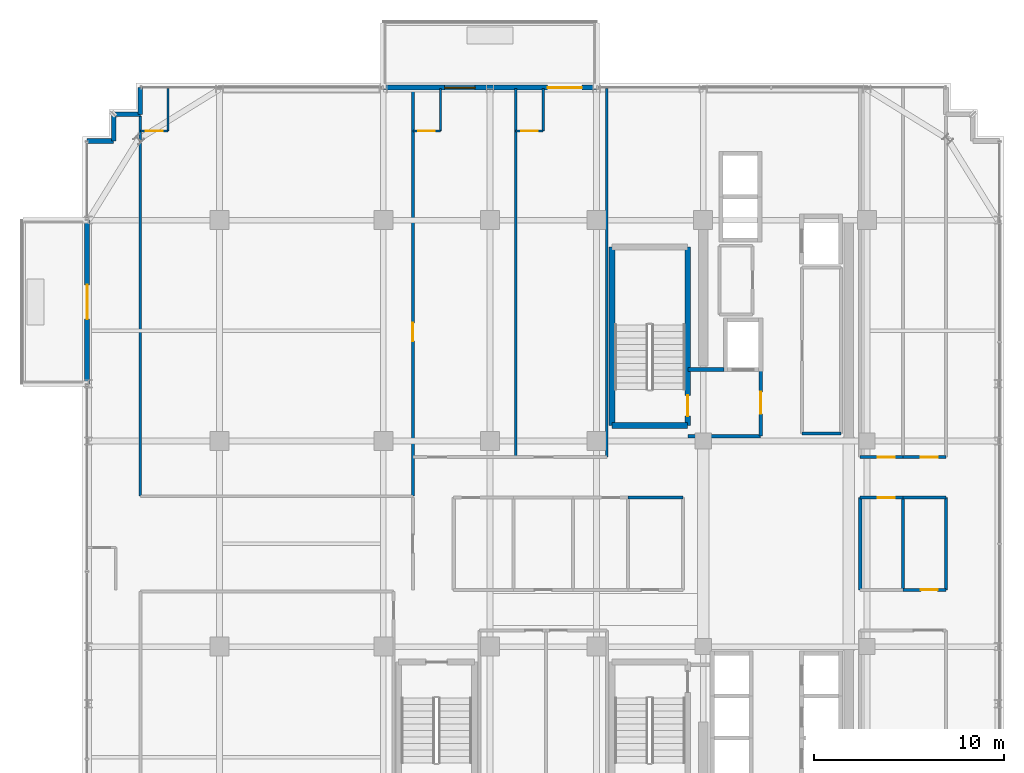
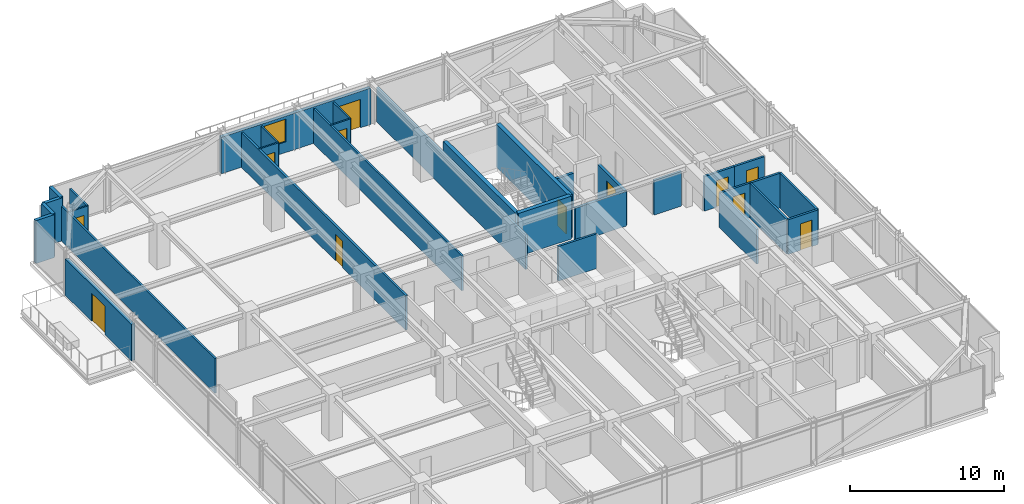
# One storey, part 36 of 41: 32 walls, 12 doors, 1 window, 13 openings.
"""IFC4 building model written with IfcOpenShell, lengths in metres."""

from ifc_helpers import new_model, si_unit, direction, frame, frame_2d, origin, place, context, subcontext, project, spatial, rectangle, extrude, source, transform, mapped, material, layer, layer_set, type_object, element, fill, save


model = new_model("IFC4")

# Units and contexts
model_context = context("Model", 3, precision=1e-05, world=origin(), true_north=direction((0.0, 1.0)))
body_context = subcontext(model_context, "Body", "Model", "MODEL_VIEW")
ifc_project = project(units=[si_unit("LENGTHUNIT", "METRE"), si_unit("AREAUNIT", "SQUARE_METRE"), si_unit("VOLUMEUNIT", "CUBIC_METRE"), si_unit("PLANEANGLEUNIT", "RADIAN"), si_unit("MASSUNIT", "GRAM", prefix="KILO")], contexts=[model_context])

# Site, building, storey
site_placement = place(None, origin())
site = spatial("IfcSite", under=ifc_project, at=site_placement, CompositionType="ELEMENT")
building_placement = place(site_placement, origin())
building = spatial("IfcBuilding", under=site, at=building_placement, Name="Nahalor Promenade Grand Hotel", CompositionType="ELEMENT")
storey_placement = place(building_placement, frame((0.0, 0.0, 227.10009765625)))
storey = spatial("IfcBuildingStorey", under=building, at=storey_placement, Name="L58", CompositionType="ELEMENT", Elevation=227.10009765625)

# Walls
ifc_material_1 = material(Name="Concrete B-50 (C40/50)", Category="concrete")
ifc_layer_1 = layer(ifc_material_1, 0.300048828125)
ifc_layer_set_1 = layer_set([ifc_layer_1], Name="Concrete B-50 (C40/50)")
wall_type_1 = type_object("IfcWallType", Name="Wall-ShaftShear-300", PredefinedType="SHEAR", material=ifc_layer_set_1)
shared_shape_1 = source(origin(), body_context, "Body", "SweptSolid", [
    extrude(rectangle(XDim=3.97998046875, YDim=0.300048828125, at=frame_2d((1.989990234375, 0.0))), origin(), (0.0, 0.0, 1.0), 3.409912109375),
])
wall_1_placement = place(storey_placement, frame((3.610107421875, 6.2099609375, 0.0), z_axis=(0.0, 0.0, 1.0), x_axis=(1.0, 0.0, 0.0)))
element("IfcWall", 1, at=wall_1_placement, inside=storey, type_object=wall_type_1, Name="L58 Exit Stair ST1 Shaft Wall S", PredefinedType="SHEAR", context=body_context, shape_type="MappedRepresentation", body=[
    mapped(shared_shape_1, transform((0.0, 0.0, 0.0), scale=1.0)),
])
shared_shape_2 = source(origin(), body_context, "Body", "SweptSolid", [
    extrude(rectangle(XDim=9.380126953125, YDim=0.300048828125, at=frame_2d((4.68994140625, 0.0))), origin(), (0.0, 0.0, 1.0), 3.409912109375),
])
wall_2_placement = place(storey_placement, frame((3.610107421875, 6.2099609375, 0.0), z_axis=(0.0, 0.0, 1.0), x_axis=(0.0, 1.0, 0.0)))
element("IfcWall", 2, at=wall_2_placement, inside=storey, type_object=wall_type_1, Name="L58 Exit Stair ST1 Shaft Wall W", PredefinedType="SHEAR", context=body_context, shape_type="MappedRepresentation", body=[
    mapped(shared_shape_2, transform((0.0, 0.0, 0.0), scale=1.0)),
])

# Wall, opening, door
wall_3_placement = place(storey_placement, frame((7.590087890625, 6.2099609375, 0.0), z_axis=(0.0, 0.0, 1.0), x_axis=(0.0, 1.0, 0.0)))
wall_3 = element("IfcWall", 3, at=wall_3_placement, inside=storey, type_object=wall_type_1, Name="L58 Exit Stair ST1 Shaft Wall E", PredefinedType="SHEAR", context=body_context, shape_type="MappedRepresentation", body=[
    mapped(shared_shape_2, transform((0.0, 0.0, 0.0), scale=1.0)),
])
opening_1_placement = place(wall_3_placement, frame((0.489990234375, 0.0, 0.0)))
opening_1 = element("IfcOpeningElement", 4, at=opening_1_placement, cuts=wall_3, Name="Opening D-ST1", PredefinedType="OPENING", context=body_context, shape_type="SweptSolid", body=[
    extrude(rectangle(XDim=1.10009765625, YDim=2.14990234375, at=frame_2d((0.550048828125, 1.074951171875))), frame((0.0, 0.159912109375, 0.0), z_axis=(0.0, -1.0, 0.0), x_axis=(1.0, 0.0, 0.0)), (0.0, 0.0, 1.0), 0.320068359375),
])
ifc_material_2 = material(Name="Steel S355JR", Category="steel")
door_type_1 = type_object("IfcDoorType", Name="Door-StairFire-1100", OperationType="NOTDEFINED", PredefinedType="DOOR", material=ifc_material_2)
shared_shape_3 = source(origin(), body_context, "Body", "SweptSolid", [
    extrude(rectangle(XDim=1.10009765625, YDim=2.14990234375, at=frame_2d((0.550048828125, 1.074951171875))), frame((0.0, 0.02490234375, 0.0), z_axis=(0.0, -1.0, 0.0), x_axis=(1.0, 0.0, 0.0)), (0.0, 0.0, 1.0), 0.050048828125),
])
door_1_placement = place(opening_1_placement, origin())
door_1 = element("IfcDoor", 5, at=door_1_placement, inside=storey, type_object=door_type_1, Name="DR-STAIR-ST1-L58", OperationType="SINGLE_SWING_LEFT", OverallHeight=2.14990234375, OverallWidth=1.10009765625, PredefinedType="DOOR", context=body_context, shape_type="MappedRepresentation", body=[
    mapped(shared_shape_3, transform((0.0, 0.0, 0.0), scale=1.0)),
])
fill(opening_1, door_1)

# Walls
ifc_material_3 = material(Name="Concrete B-40 (C32/40)", Category="concrete")
ifc_layer_2 = layer(ifc_material_3, 0.25)
ifc_layer_set_2 = layer_set([ifc_layer_2], Name="Concrete B-40 (C32/40)")
wall_type_2 = type_object("IfcWallType", Name="Wall-BronzePier-250", PredefinedType="STANDARD", material=ifc_layer_set_2)
shared_shape_4 = source(origin(), body_context, "Body", "SweptSolid", [
    extrude(rectangle(XDim=1.39990234375, YDim=0.25, at=frame_2d((0.699951171875, 0.0))), origin(), (0.0, 0.0, 1.0), 3.409912109375),
])
for number, where, z_axis, x_axis, name in (
    (6, (-21.159912109375, 22.56005859375, 0.0), (0.0, 0.0, 1.0), (0.0, 1.0, 0.0), "W-L58-SR-09"),
    (7, (-23.9599609375, 21.159912109375, 0.0), (0.0, 0.0, 1.0), (1.0, 0.0, 0.0), "W-L58-SR-12"),
):
    element("IfcWall", number, at=place(storey_placement, frame(where, z_axis=z_axis, x_axis=x_axis)), inside=storey, type_object=wall_type_2, Name=name, PredefinedType="STANDARD", context=body_context, shape_type="MappedRepresentation", body=[
        mapped(shared_shape_4, transform((0.0, 0.0, 0.0), scale=1.0)),
    ])
shared_shape_5 = source(origin(), body_context, "Body", "SweptSolid", [
    extrude(rectangle(XDim=1.400146484375, YDim=0.25, at=frame_2d((0.7001953125, 0.0))), origin(), (0.0, 0.0, 1.0), 3.409912109375),
])
for number, where, z_axis, x_axis, name in (
    (8, (-22.56005859375, 22.56005859375, 0.0), (0.0, 0.0, 1.0), (1.0, 0.0, 0.0), "W-L58-SR-10"),
    (9, (-22.56005859375, 21.159912109375, 0.0), (0.0, 0.0, 1.0), (0.0, 1.0, 0.0), "W-L58-SR-11"),
):
    element("IfcWall", number, at=place(storey_placement, frame(where, z_axis=z_axis, x_axis=x_axis)), inside=storey, type_object=wall_type_2, Name=name, PredefinedType="STANDARD", context=body_context, shape_type="MappedRepresentation", body=[
        mapped(shared_shape_5, transform((0.0, 0.0, 0.0), scale=1.0)),
    ])

# Wall, openings, door, window
ifc_layer_3 = layer(ifc_material_3, 0.260009765625)
ifc_layer_set_3 = layer_set([ifc_layer_3], Name="Concrete B-40 (C32/40)")
wall_type_3 = type_object("IfcWallType", Name="Wall-BalconyWall-260", PredefinedType="STANDARD", material=ifc_layer_set_3)
shared_shape_6 = source(origin(), body_context, "Body", "SweptSolid", [
    extrude(rectangle(XDim=11.199951171875, YDim=0.260009765625, at=frame_2d((5.60009765625, 0.0))), origin(), (0.0, 0.0, 1.0), 2.889892578125),
])
wall_4_placement = place(storey_placement, frame((-8.39990234375, 23.9599609375, 0.0), z_axis=(0.0, 0.0, 1.0), x_axis=(1.0, 0.0, 0.0)))
wall_4 = element("IfcWall", 10, at=wall_4_placement, inside=storey, type_object=wall_type_3, Name="W-L58-BALC-N-2", PredefinedType="STANDARD", context=body_context, shape_type="MappedRepresentation", body=[
    mapped(shared_shape_6, transform((0.0, 0.0, 0.0), scale=1.0)),
])
opening_2_placement = place(wall_4_placement, frame((8.625, 0.0, 0.0)))
opening_2 = element("IfcOpeningElement", 11, at=opening_2_placement, cuts=wall_4, Name="Opening D-BC1", PredefinedType="OPENING", context=body_context, shape_type="SweptSolid", body=[
    extrude(rectangle(XDim=1.800048828125, YDim=2.25, at=frame_2d((0.89990234375, 1.125))), frame((0.0, 0.139892578125, 0.0), z_axis=(0.0, -1.0, 0.0), x_axis=(1.0, 0.0, 0.0)), (0.0, 0.0, 1.0), 0.280029296875),
])
opening_3_placement = place(wall_4_placement, frame((3.22509765625, 0.0, 0.85009765625)))
opening_3 = element("IfcOpeningElement", 12, at=opening_3_placement, cuts=wall_4, Name="Opening WN-03", PredefinedType="OPENING", context=body_context, shape_type="SweptSolid", body=[
    extrude(rectangle(XDim=1.60009765625, YDim=1.800048828125, at=frame_2d((0.800048828125, 0.89990234375))), frame((0.0, 0.139892578125, 0.0), z_axis=(0.0, -1.0, 0.0), x_axis=(1.0, 0.0, 0.0)), (0.0, 0.0, 1.0), 0.280029296875),
])
ifc_material_4 = material(Name="Anodised Bronze Aluminium EN AW-6063 T6", Category="aluminium")
door_type_2 = type_object("IfcDoorType", Name="Door-BalconySlide-1800", OperationType="DOUBLE_DOOR_SLIDING", PredefinedType="DOOR", material=ifc_material_4)
shared_shape_7 = source(origin(), body_context, "Body", "SweptSolid", [
    extrude(rectangle(XDim=1.800048828125, YDim=2.25, at=frame_2d((0.89990234375, 1.125))), frame((0.0, 0.02490234375, 0.0), z_axis=(0.0, -1.0, 0.0), x_axis=(1.0, 0.0, 0.0)), (0.0, 0.0, 1.0), 0.050048828125),
])
door_2_placement = place(opening_2_placement, origin())
door_2 = element("IfcDoor", 13, at=door_2_placement, inside=storey, type_object=door_type_2, Name="DR-L58-BALC-N-2", OperationType="DOUBLE_DOOR_SLIDING", OverallHeight=2.25, OverallWidth=1.800048828125, PredefinedType="DOOR", context=body_context, shape_type="MappedRepresentation", body=[
    mapped(shared_shape_7, transform((0.0, 0.0, 0.0), scale=1.0)),
])
fill(opening_2, door_2)
ifc_material_5 = material(Name="Low-E Laminated Solar Glass", Category="glass")
window_type = type_object("IfcWindowType", Name="Win-CrownVented-1600x1800", PartitioningType="SINGLE_PANEL", PredefinedType="WINDOW", material=ifc_material_5)
shared_shape_8 = source(origin(), body_context, "Body", "SweptSolid", [
    extrude(rectangle(XDim=1.60009765625, YDim=1.800048828125, at=frame_2d((0.800048828125, 0.89990234375))), frame((0.0, 0.030029296875, 0.0), z_axis=(0.0, -1.0, 0.0), x_axis=(1.0, 0.0, 0.0)), (0.0, 0.0, 1.0), 0.06005859375),
])
window_placement = place(opening_3_placement, origin())
window = element("IfcWindow", 14, at=window_placement, inside=storey, type_object=window_type, Name="WN-L58-BALC-N-2-1", OverallHeight=1.800048828125, OverallWidth=1.60009765625, PartitioningType="SINGLE_PANEL", PredefinedType="WINDOW", context=body_context, shape_type="MappedRepresentation", body=[
    mapped(shared_shape_8, transform((0.0, 0.0, 0.0), scale=1.0)),
])
fill(opening_3, window)

# Wall, opening, door
shared_shape_9 = source(origin(), body_context, "Body", "SweptSolid", [
    extrude(rectangle(XDim=8.60009765625, YDim=0.260009765625, at=frame_2d((4.300048828125, 0.0))), origin(), (0.0, 0.0, 1.0), 2.889892578125),
])
wall_5_placement = place(storey_placement, frame((-23.9599609375, 8.39990234375, 0.0), z_axis=(0.0, 0.0, 1.0), x_axis=(0.0, 1.0, 0.0)))
wall_5 = element("IfcWall", 15, at=wall_5_placement, inside=storey, type_object=wall_type_3, Name="W-L58-BALC-W-2", PredefinedType="STANDARD", context=body_context, shape_type="MappedRepresentation", body=[
    mapped(shared_shape_9, transform((0.0, 0.0, 0.0), scale=1.0)),
])
opening_4_placement = place(wall_5_placement, frame((3.39990234375, 0.0, 0.0)))
opening_4 = element("IfcOpeningElement", 16, at=opening_4_placement, cuts=wall_5, Name="Opening D-BC1", PredefinedType="OPENING", context=body_context, shape_type="SweptSolid", body=[
    extrude(rectangle(XDim=1.800048828125, YDim=2.25, at=frame_2d((0.89990234375, 1.125))), frame((0.0, 0.139892578125, 0.0), z_axis=(0.0, -1.0, 0.0), x_axis=(1.0, 0.0, 0.0)), (0.0, 0.0, 1.0), 0.280029296875),
])
door_3_placement = place(opening_4_placement, origin())
door_3 = element("IfcDoor", 17, at=door_3_placement, inside=storey, type_object=door_type_2, Name="DR-L58-BALC-W-2", OperationType="DOUBLE_DOOR_SLIDING", OverallHeight=2.25, OverallWidth=1.800048828125, PredefinedType="DOOR", context=body_context, shape_type="MappedRepresentation", body=[
    mapped(shared_shape_7, transform((0.0, 0.0, 0.0), scale=1.0)),
])
fill(opening_4, door_3)

# Walls
ifc_layer_4 = layer(ifc_material_3, 0.199951171875)
ifc_layer_set_4 = layer_set([ifc_layer_4], Name="Concrete B-40 (C32/40)")
wall_type_4 = type_object("IfcWallType", Name="Wall-PartFire-200", PredefinedType="PARTITIONING", material=ifc_layer_set_4)
shared_shape_10 = source(origin(), body_context, "Body", "SweptSolid", [
    extrude(rectangle(XDim=3.81982421875, YDim=0.199951171875, at=frame_2d((1.909912109375, 0.0))), origin(), (0.0, 0.0, 1.0), 2.75),
])
wall_6_placement = place(storey_placement, frame((7.60009765625, 5.64990234375, 0.0), z_axis=(0.0, 0.0, 1.0), x_axis=(1.0, 0.0, 0.0)))
element("IfcWall", 18, at=wall_6_placement, inside=storey, type_object=wall_type_4, Name="W-L58-FF1-S", PredefinedType="PARTITIONING", context=body_context, shape_type="MappedRepresentation", body=[
    mapped(shared_shape_10, transform((0.0, 0.0, 0.0), scale=1.0)),
])
shared_shape_11 = source(origin(), body_context, "Body", "SweptSolid", [
    extrude(rectangle(XDim=1.89990234375, YDim=0.199951171875, at=frame_2d((0.949951171875, 0.0))), origin(), (0.0, 0.0, 1.0), 2.75),
])
wall_7_placement = place(storey_placement, frame((7.60009765625, 9.14990234375, 0.0), z_axis=(0.0, 0.0, 1.0), x_axis=(1.0, 0.0, 0.0)))
element("IfcWall", 19, at=wall_7_placement, inside=storey, type_object=wall_type_4, Name="W-L58-FF1-N", PredefinedType="PARTITIONING", context=body_context, shape_type="MappedRepresentation", body=[
    mapped(shared_shape_11, transform((0.0, 0.0, 0.0), scale=1.0)),
])

# Wall, opening, door
shared_shape_12 = source(origin(), body_context, "Body", "SweptSolid", [
    extrude(rectangle(XDim=3.5, YDim=0.199951171875, at=frame_2d((1.75, 0.0))), origin(), (0.0, 0.0, 1.0), 2.75),
])
wall_8_placement = place(storey_placement, frame((11.419921875, 5.64990234375, 0.0), z_axis=(0.0, 0.0, 1.0), x_axis=(0.0, 1.0, 0.0)))
wall_8 = element("IfcWall", 20, at=wall_8_placement, inside=storey, type_object=wall_type_4, Name="W-L58-FF1-E", PredefinedType="PARTITIONING", context=body_context, shape_type="MappedRepresentation", body=[
    mapped(shared_shape_12, transform((0.0, 0.0, 0.0), scale=1.0)),
])
opening_5_placement = place(wall_8_placement, frame((1.175048828125, 0.0, 0.0)))
opening_5 = element("IfcOpeningElement", 21, at=opening_5_placement, cuts=wall_8, Name="Opening D-FF1", PredefinedType="OPENING", context=body_context, shape_type="SweptSolid", body=[
    extrude(rectangle(XDim=1.14990234375, YDim=2.14990234375, at=frame_2d((0.574951171875, 1.074951171875))), frame((0.0, 0.10986328125, 0.0), z_axis=(0.0, -1.0, 0.0), x_axis=(1.0, 0.0, 0.0)), (0.0, 0.0, 1.0), 0.219970703125),
])
door_type_3 = type_object("IfcDoorType", Name="Door-FFLobby-1150", OperationType="NOTDEFINED", PredefinedType="DOOR", material=ifc_material_2)
shared_shape_13 = source(origin(), body_context, "Body", "SweptSolid", [
    extrude(rectangle(XDim=1.14990234375, YDim=2.14990234375, at=frame_2d((0.574951171875, 1.074951171875))), frame((0.0, 0.02490234375, 0.0), z_axis=(0.0, -1.0, 0.0), x_axis=(1.0, 0.0, 0.0)), (0.0, 0.0, 1.0), 0.050048828125),
])
door_4_placement = place(opening_5_placement, frame((1.14990234375, 0.0, 0.0), z_axis=(0.0, 0.0, 1.0), x_axis=(-1.0, 0.0, 0.0)))
door_4 = element("IfcDoor", 22, at=door_4_placement, inside=storey, type_object=door_type_3, Name="DR-L58-FFL1", OperationType="SINGLE_SWING_RIGHT", OverallHeight=2.14990234375, OverallWidth=1.14990234375, PredefinedType="DOOR", context=body_context, shape_type="MappedRepresentation", body=[
    mapped(shared_shape_13, transform((0.0, 0.0, 0.0), scale=1.0)),
])
fill(opening_5, door_4)

# Wall
ifc_material_6 = material(Name="Acoustic Mineral Gypsum", Category="gypsum")
ifc_layer_5 = layer(ifc_material_6, 0.159912109375)
ifc_layer_set_5 = layer_set([ifc_layer_5], Name="Acoustic Mineral Gypsum")
wall_type_5 = type_object("IfcWallType", Name="Wall-PartCorridor-160", PredefinedType="PARTITIONING", material=ifc_layer_set_5)
shared_shape_14 = source(origin(), body_context, "Body", "SweptSolid", [
    extrude(rectangle(XDim=2.0498046875, YDim=0.159912109375, at=frame_2d((1.02490234375, 0.0))), origin(), (0.0, 0.0, 1.0), 2.75),
])
wall_9_placement = place(storey_placement, frame((13.60009765625, 5.800048828125, 0.0), z_axis=(0.0, 0.0, 1.0), x_axis=(1.0, 0.0, 0.0)))
element("IfcWall", 23, at=wall_9_placement, inside=storey, type_object=wall_type_5, Name="W-L58-FRB1-S", PredefinedType="PARTITIONING", context=body_context, shape_type="MappedRepresentation", body=[
    mapped(shared_shape_14, transform((0.0, 0.0, 0.0), scale=1.0)),
])

# Wall, opening, door
shared_shape_15 = source(origin(), body_context, "Body", "SweptSolid", [
    extrude(rectangle(XDim=2.255126953125, YDim=0.159912109375, at=frame_2d((1.12744140625, 0.0))), origin(), (0.0, 0.0, 1.0), 2.75),
])
wall_10_placement = place(storey_placement, frame((16.64990234375, 4.550048828125, 0.0), z_axis=(0.0, 0.0, 1.0), x_axis=(1.0, 0.0, 0.0)))
wall_10 = element("IfcWall", 24, at=wall_10_placement, inside=storey, type_object=wall_type_5, Name="W-L58-ENE1-S", PredefinedType="PARTITIONING", context=body_context, shape_type="MappedRepresentation", body=[
    mapped(shared_shape_15, transform((0.0, 0.0, 0.0), scale=1.0)),
])
opening_6_placement = place(wall_10_placement, frame((0.924072265625, 0.0, 0.0)))
opening_6 = element("IfcOpeningElement", 25, at=opening_6_placement, cuts=wall_10, Name="Opening D-03", PredefinedType="OPENING", context=body_context, shape_type="SweptSolid", body=[
    extrude(rectangle(XDim=0.8798828125, YDim=2.10009765625, at=frame_2d((0.43994140625, 1.050048828125))), frame((0.0, 0.08984375, 0.0), z_axis=(0.0, -1.0, 0.0), x_axis=(1.0, 0.0, 0.0)), (0.0, 0.0, 1.0), 0.179931640625),
])
ifc_material_7 = material(Name="Fire-Rated Timber Composite", Category="wood")
door_type_4 = type_object("IfcDoorType", Name="Door-BathSwing-880", OperationType="NOTDEFINED", PredefinedType="DOOR", material=ifc_material_7)
shared_shape_16 = source(origin(), body_context, "Body", "SweptSolid", [
    extrude(rectangle(XDim=0.8798828125, YDim=2.10009765625, at=frame_2d((0.43994140625, 1.050048828125))), frame((0.0, 0.02490234375, 0.0), z_axis=(0.0, -1.0, 0.0), x_axis=(1.0, 0.0, 0.0)), (0.0, 0.0, 1.0), 0.050048828125),
])
door_5_placement = place(opening_6_placement, origin())
door_5 = element("IfcDoor", 26, at=door_5_placement, inside=storey, type_object=door_type_4, Name="DR-L58-ENE1", OperationType="SINGLE_SWING_RIGHT", OverallHeight=2.10009765625, OverallWidth=0.8798828125, PredefinedType="DOOR", context=body_context, shape_type="MappedRepresentation", body=[
    mapped(shared_shape_16, transform((0.0, 0.0, 0.0), scale=1.0)),
])
fill(opening_6, door_5)

wall_11_placement = place(storey_placement, frame((16.64990234375, 2.419921875, 0.0), z_axis=(0.0, 0.0, 1.0), x_axis=(1.0, 0.0, 0.0)))
wall_11 = element("IfcWall", 27, at=wall_11_placement, inside=storey, type_object=wall_type_5, Name="W-L58-ECW1-N", PredefinedType="PARTITIONING", context=body_context, shape_type="MappedRepresentation", body=[
    mapped(shared_shape_15, transform((0.0, 0.0, 0.0), scale=1.0)),
])
opening_7_placement = place(wall_11_placement, frame((0.924072265625, 0.0, 0.0)))
opening_7 = element("IfcOpeningElement", 28, at=opening_7_placement, cuts=wall_11, Name="Opening D-03", PredefinedType="OPENING", context=body_context, shape_type="SweptSolid", body=[
    extrude(rectangle(XDim=0.8798828125, YDim=2.10009765625, at=frame_2d((0.43994140625, 1.050048828125))), frame((0.0, 0.08984375, 0.0), z_axis=(0.0, -1.0, 0.0), x_axis=(1.0, 0.0, 0.0)), (0.0, 0.0, 1.0), 0.179931640625),
])
door_6_placement = place(opening_7_placement, frame((0.8798828125, 0.0, 0.0), z_axis=(0.0, 0.0, 1.0), x_axis=(-1.0, 0.0, 0.0)))
door_6 = element("IfcDoor", 29, at=door_6_placement, inside=storey, type_object=door_type_4, Name="DR-L58-ECW1", OperationType="SINGLE_SWING_RIGHT", OverallHeight=2.10009765625, OverallWidth=0.8798828125, PredefinedType="DOOR", context=body_context, shape_type="MappedRepresentation", body=[
    mapped(shared_shape_16, transform((0.0, 0.0, 0.0), scale=1.0)),
])
fill(opening_7, door_6)

shared_shape_17 = source(origin(), body_context, "Body", "SweptSolid", [
    extrude(rectangle(XDim=2.2548828125, YDim=0.159912109375, at=frame_2d((1.12744140625, 0.0))), origin(), (0.0, 0.0, 1.0), 2.75),
])
wall_12_placement = place(storey_placement, frame((18.905029296875, 4.550048828125, 0.0), z_axis=(0.0, 0.0, 1.0), x_axis=(1.0, 0.0, 0.0)))
wall_12 = element("IfcWall", 30, at=wall_12_placement, inside=storey, type_object=wall_type_5, Name="W-L58-ENE2-S", PredefinedType="PARTITIONING", context=body_context, shape_type="MappedRepresentation", body=[
    mapped(shared_shape_17, transform((0.0, 0.0, 0.0), scale=1.0)),
])
opening_8_placement = place(wall_12_placement, frame((0.924072265625, 0.0, 0.0)))
opening_8 = element("IfcOpeningElement", 31, at=opening_8_placement, cuts=wall_12, Name="Opening D-03", PredefinedType="OPENING", context=body_context, shape_type="SweptSolid", body=[
    extrude(rectangle(XDim=0.8798828125, YDim=2.10009765625, at=frame_2d((0.43994140625, 1.050048828125))), frame((0.0, 0.08984375, 0.0), z_axis=(0.0, -1.0, 0.0), x_axis=(1.0, 0.0, 0.0)), (0.0, 0.0, 1.0), 0.179931640625),
])
door_7_placement = place(opening_8_placement, origin())
door_7 = element("IfcDoor", 32, at=door_7_placement, inside=storey, type_object=door_type_4, Name="DR-L58-ENE2", OperationType="SINGLE_SWING_LEFT", OverallHeight=2.10009765625, OverallWidth=0.8798828125, PredefinedType="DOOR", context=body_context, shape_type="MappedRepresentation", body=[
    mapped(shared_shape_16, transform((0.0, 0.0, 0.0), scale=1.0)),
])
fill(opening_8, door_7)

wall_13_placement = place(storey_placement, frame((18.905029296875, -2.419921875, 0.0), z_axis=(0.0, 0.0, 1.0), x_axis=(1.0, 0.0, 0.0)))
wall_13 = element("IfcWall", 33, at=wall_13_placement, inside=storey, type_object=wall_type_5, Name="W-L58-ECW2-S", PredefinedType="PARTITIONING", context=body_context, shape_type="MappedRepresentation", body=[
    mapped(shared_shape_17, transform((0.0, 0.0, 0.0), scale=1.0)),
])
opening_9_placement = place(wall_13_placement, frame((0.924072265625, 0.0, 0.0)))
opening_9 = element("IfcOpeningElement", 34, at=opening_9_placement, cuts=wall_13, Name="Opening D-03", PredefinedType="OPENING", context=body_context, shape_type="SweptSolid", body=[
    extrude(rectangle(XDim=0.8798828125, YDim=2.10009765625, at=frame_2d((0.43994140625, 1.050048828125))), frame((0.0, 0.08984375, 0.0), z_axis=(0.0, -1.0, 0.0), x_axis=(1.0, 0.0, 0.0)), (0.0, 0.0, 1.0), 0.179931640625),
])
door_8_placement = place(opening_9_placement, origin())
door_8 = element("IfcDoor", 35, at=door_8_placement, inside=storey, type_object=door_type_4, Name="DR-L58-ECW2", OperationType="SINGLE_SWING_LEFT", OverallHeight=2.10009765625, OverallWidth=0.8798828125, PredefinedType="DOOR", context=body_context, shape_type="MappedRepresentation", body=[
    mapped(shared_shape_16, transform((0.0, 0.0, 0.0), scale=1.0)),
])
fill(opening_9, door_8)

# Wall
wall_14_placement = place(storey_placement, frame((18.905029296875, 2.419921875, 0.0), z_axis=(0.0, 0.0, 1.0), x_axis=(1.0, 0.0, 0.0)))
element("IfcWall", 36, at=wall_14_placement, inside=storey, type_object=wall_type_5, Name="W-L58-ECW2-N", PredefinedType="PARTITIONING", context=body_context, shape_type="MappedRepresentation", body=[
    mapped(shared_shape_17, transform((0.0, 0.0, 0.0), scale=1.0)),
])

# Wall, opening, door
shared_shape_18 = source(origin(), body_context, "Body", "SweptSolid", [
    extrude(rectangle(XDim=21.39990234375, YDim=0.159912109375, at=frame_2d((10.699951171875, 0.0))), origin(), (0.0, 0.0, 1.0), 2.75),
])
wall_15_placement = place(storey_placement, frame((-6.85009765625, 2.5, 0.0), z_axis=(0.0, 0.0, 1.0), x_axis=(0.0, 1.0, 0.0)))
wall_15 = element("IfcWall", 37, at=wall_15_placement, inside=storey, type_object=wall_type_5, Name="W-L58-ZNW-E", PredefinedType="PARTITIONING", context=body_context, shape_type="MappedRepresentation", body=[
    mapped(shared_shape_18, transform((0.0, 0.0, 0.0), scale=1.0)),
])
opening_10_placement = place(wall_15_placement, frame((8.14990234375, 0.0, 0.0)))
opening_10 = element("IfcOpeningElement", 38, at=opening_10_placement, cuts=wall_15, Name="Opening D-01", PredefinedType="OPENING", context=body_context, shape_type="SweptSolid", body=[
    extrude(rectangle(XDim=0.949951171875, YDim=2.10009765625, at=frame_2d((0.47509765625, 1.050048828125))), frame((0.0, 0.08984375, 0.0), z_axis=(0.0, -1.0, 0.0), x_axis=(1.0, 0.0, 0.0)), (0.0, 0.0, 1.0), 0.179931640625),
])
door_type_5 = type_object("IfcDoorType", Name="Door-GuestEntry-950", OperationType="NOTDEFINED", PredefinedType="DOOR", material=ifc_material_7)
shared_shape_19 = source(origin(), body_context, "Body", "SweptSolid", [
    extrude(rectangle(XDim=0.949951171875, YDim=2.10009765625, at=frame_2d((0.47509765625, 1.050048828125))), frame((0.0, 0.02490234375, 0.0), z_axis=(0.0, -1.0, 0.0), x_axis=(1.0, 0.0, 0.0)), (0.0, 0.0, 1.0), 0.050048828125),
])
door_9_placement = place(opening_10_placement, origin())
door_9 = element("IfcDoor", 39, at=door_9_placement, inside=storey, type_object=door_type_5, Name="DR-L58-NW0-ENT", OperationType="SINGLE_SWING_LEFT", OverallHeight=2.10009765625, OverallWidth=0.949951171875, PredefinedType="DOOR", context=body_context, shape_type="MappedRepresentation", body=[
    mapped(shared_shape_19, transform((0.0, 0.0, 0.0), scale=1.0)),
])
fill(opening_10, door_9)

# Wall
ifc_layer_6 = layer(ifc_material_6, 0.139892578125)
ifc_layer_set_6 = layer_set([ifc_layer_6], Name="Acoustic Mineral Gypsum")
wall_type_6 = type_object("IfcWallType", Name="Wall-PartSuite-140", PredefinedType="PARTITIONING", material=ifc_layer_set_6)
shared_shape_20 = source(origin(), body_context, "Body", "SweptSolid", [
    extrude(rectangle(XDim=19.97998046875, YDim=0.139892578125, at=frame_2d((9.989990234375, 0.0))), origin(), (0.0, 0.0, 1.0), 2.75),
])
wall_16_placement = place(storey_placement, frame((-21.159912109375, 2.5, 0.0), z_axis=(0.0, 0.0, 1.0), x_axis=(0.0, 1.0, 0.0)))
element("IfcWall", 40, at=wall_16_placement, inside=storey, type_object=wall_type_6, Name="W-L58-ZNW-W", PredefinedType="PARTITIONING", context=body_context, shape_type="MappedRepresentation", body=[
    mapped(shared_shape_20, transform((0.0, 0.0, 0.0), scale=1.0)),
])

# Wall, opening, door
ifc_layer_7 = layer(ifc_material_6, 0.1201171875)
ifc_layer_set_7 = layer_set([ifc_layer_7], Name="Acoustic Mineral Gypsum")
wall_type_7 = type_object("IfcWallType", Name="Wall-PartBath-120", PredefinedType="PARTITIONING", material=ifc_layer_set_7)
shared_shape_21 = source(origin(), body_context, "Body", "SweptSolid", [
    extrude(rectangle(XDim=1.449951171875, YDim=0.1201171875, at=frame_2d((0.72509765625, 0.0))), origin(), (0.0, 0.0, 1.0), 2.75),
])
wall_17_placement = place(storey_placement, frame((-21.159912109375, 21.679931640625, 0.0), z_axis=(0.0, 0.0, 1.0), x_axis=(1.0, 0.0, 0.0)))
wall_17 = element("IfcWall", 41, at=wall_17_placement, inside=storey, type_object=wall_type_7, Name="W-L58-NW0-BH", PredefinedType="PARTITIONING", context=body_context, shape_type="MappedRepresentation", body=[
    mapped(shared_shape_21, transform((0.0, 0.0, 0.0), scale=1.0)),
])
opening_11_placement = place(wall_17_placement, frame((0.284912109375, 0.0, 0.0)))
opening_11 = element("IfcOpeningElement", 42, at=opening_11_placement, cuts=wall_17, Name="Opening D-03", PredefinedType="OPENING", context=body_context, shape_type="SweptSolid", body=[
    extrude(rectangle(XDim=0.8798828125, YDim=2.10009765625, at=frame_2d((0.43994140625, 1.050048828125))), frame((0.0, 0.070068359375, 0.0), z_axis=(0.0, -1.0, 0.0), x_axis=(1.0, 0.0, 0.0)), (0.0, 0.0, 1.0), 0.14013671875),
])
door_10_placement = place(opening_11_placement, origin())
door_10 = element("IfcDoor", 43, at=door_10_placement, inside=storey, type_object=door_type_4, Name="DR-L58-NW0-BATH", OperationType="SINGLE_SWING_RIGHT", OverallHeight=2.10009765625, OverallWidth=0.8798828125, PredefinedType="DOOR", context=body_context, shape_type="MappedRepresentation", body=[
    mapped(shared_shape_16, transform((0.0, 0.0, 0.0), scale=1.0)),
])
fill(opening_11, door_10)

wall_18_placement = place(storey_placement, frame((-1.449951171875, 21.679931640625, 0.0), z_axis=(0.0, 0.0, 1.0), x_axis=(1.0, 0.0, 0.0)))
wall_18 = element("IfcWall", 44, at=wall_18_placement, inside=storey, type_object=wall_type_7, Name="W-L58-N2-BH", PredefinedType="PARTITIONING", context=body_context, shape_type="MappedRepresentation", body=[
    mapped(shared_shape_21, transform((0.0, 0.0, 0.0), scale=1.0)),
])
opening_12_placement = place(wall_18_placement, frame((0.284912109375, 0.0, 0.0)))
opening_12 = element("IfcOpeningElement", 45, at=opening_12_placement, cuts=wall_18, Name="Opening D-03", PredefinedType="OPENING", context=body_context, shape_type="SweptSolid", body=[
    extrude(rectangle(XDim=0.8798828125, YDim=2.10009765625, at=frame_2d((0.43994140625, 1.050048828125))), frame((0.0, 0.070068359375, 0.0), z_axis=(0.0, -1.0, 0.0), x_axis=(1.0, 0.0, 0.0)), (0.0, 0.0, 1.0), 0.14013671875),
])
door_11_placement = place(opening_12_placement, origin())
door_11 = element("IfcDoor", 46, at=door_11_placement, inside=storey, type_object=door_type_4, Name="DR-L58-N2-BATH", OperationType="SINGLE_SWING_RIGHT", OverallHeight=2.10009765625, OverallWidth=0.8798828125, PredefinedType="DOOR", context=body_context, shape_type="MappedRepresentation", body=[
    mapped(shared_shape_16, transform((0.0, 0.0, 0.0), scale=1.0)),
])
fill(opening_12, door_11)

# Walls
shared_shape_22 = source(origin(), body_context, "Body", "SweptSolid", [
    extrude(rectangle(XDim=2.219970703125, YDim=0.1201171875, at=frame_2d((1.10986328125, 0.0))), origin(), (0.0, 0.0, 1.0), 2.75),
])
for number, where, z_axis, x_axis, name in (
    (47, (-19.7099609375, 21.679931640625, 0.0), (0.0, 0.0, 1.0), (0.0, 1.0, 0.0), "W-L58-NW0-BV"),
    (48, (-5.39990234375, 21.679931640625, 0.0), (0.0, 0.0, 1.0), (0.0, 1.0, 0.0), "W-L58-N1-BV"),
    (49, (0.0, 21.679931640625, 0.0), (0.0, 0.0, 1.0), (0.0, 1.0, 0.0), "W-L58-N2-BV"),
):
    element("IfcWall", number, at=place(storey_placement, frame(where, z_axis=z_axis, x_axis=x_axis)), inside=storey, type_object=wall_type_7, Name=name, PredefinedType="PARTITIONING", context=body_context, shape_type="MappedRepresentation", body=[
        mapped(shared_shape_22, transform((0.0, 0.0, 0.0), scale=1.0)),
    ])
shared_shape_23 = source(origin(), body_context, "Body", "SweptSolid", [
    extrude(rectangle(XDim=19.349853515625, YDim=0.139892578125, at=frame_2d((9.6748046875, 0.0))), origin(), (0.0, 0.0, 1.0), 2.75),
])
for number, where, z_axis, x_axis, name in (
    (50, (3.340087890625, 4.550048828125, 0.0), (0.0, 0.0, 1.0), (0.0, 1.0, 0.0), "W-L58-NW-ENDE"),
    (51, (-1.449951171875, 4.550048828125, 0.0), (0.0, 0.0, 1.0), (0.0, 1.0, 0.0), "W-L58-NP-1"),
):
    element("IfcWall", number, at=place(storey_placement, frame(where, z_axis=z_axis, x_axis=x_axis)), inside=storey, type_object=wall_type_6, Name=name, PredefinedType="PARTITIONING", context=body_context, shape_type="MappedRepresentation", body=[
        mapped(shared_shape_23, transform((0.0, 0.0, 0.0), scale=1.0)),
    ])

# Wall, opening, door
shared_shape_24 = source(origin(), body_context, "Body", "SweptSolid", [
    extrude(rectangle(XDim=1.4501953125, YDim=0.1201171875, at=frame_2d((0.72509765625, 0.0))), origin(), (0.0, 0.0, 1.0), 2.75),
])
wall_19_placement = place(storey_placement, frame((-6.85009765625, 21.679931640625, 0.0), z_axis=(0.0, 0.0, 1.0), x_axis=(1.0, 0.0, 0.0)))
wall_19 = element("IfcWall", 52, at=wall_19_placement, inside=storey, type_object=wall_type_7, Name="W-L58-N1-BH", PredefinedType="PARTITIONING", context=body_context, shape_type="MappedRepresentation", body=[
    mapped(shared_shape_24, transform((0.0, 0.0, 0.0), scale=1.0)),
])
opening_13_placement = place(wall_19_placement, frame((0.284912109375, 0.0, 0.0)))
opening_13 = element("IfcOpeningElement", 53, at=opening_13_placement, cuts=wall_19, Name="Opening D-03", PredefinedType="OPENING", context=body_context, shape_type="SweptSolid", body=[
    extrude(rectangle(XDim=0.8798828125, YDim=2.10009765625, at=frame_2d((0.43994140625, 1.050048828125))), frame((0.0, 0.070068359375, 0.0), z_axis=(0.0, -1.0, 0.0), x_axis=(1.0, 0.0, 0.0)), (0.0, 0.0, 1.0), 0.14013671875),
])
door_12_placement = place(opening_13_placement, origin())
door_12 = element("IfcDoor", 54, at=door_12_placement, inside=storey, type_object=door_type_4, Name="DR-L58-N1-BATH", OperationType="SINGLE_SWING_RIGHT", OverallHeight=2.10009765625, OverallWidth=0.8798828125, PredefinedType="DOOR", context=body_context, shape_type="MappedRepresentation", body=[
    mapped(shared_shape_16, transform((0.0, 0.0, 0.0), scale=1.0)),
])
fill(opening_13, door_12)

# Walls
shared_shape_25 = source(origin(), body_context, "Body", "SweptSolid", [
    extrude(rectangle(XDim=4.83984375, YDim=0.159912109375, at=frame_2d((2.419921875, 0.0))), origin(), (0.0, 0.0, 1.0), 2.75),
])
for number, where, z_axis, x_axis, name in (
    (55, (16.64990234375, -2.419921875, 0.0), (0.0, 0.0, 1.0), (0.0, 1.0, 0.0), "W-L58-ECW1-W"),
    (56, (18.905029296875, -2.419921875, 0.0), (0.0, 0.0, 1.0), (0.0, 1.0, 0.0), "W-L58-ECW1-E"),
    (57, (21.159912109375, -2.419921875, 0.0), (0.0, 0.0, 1.0), (0.0, 1.0, 0.0), "W-L58-ECW2-E"),
):
    element("IfcWall", number, at=place(storey_placement, frame(where, z_axis=z_axis, x_axis=x_axis)), inside=storey, type_object=wall_type_5, Name=name, PredefinedType="PARTITIONING", context=body_context, shape_type="MappedRepresentation", body=[
        mapped(shared_shape_25, transform((0.0, 0.0, 0.0), scale=1.0)),
    ])
shared_shape_26 = source(origin(), body_context, "Body", "SweptSolid", [
    extrude(rectangle(XDim=2.89208984375, YDim=0.159912109375, at=frame_2d((1.446044921875, 0.0))), origin(), (0.0, 0.0, 1.0), 2.75),
])
wall_20_placement = place(storey_placement, frame((4.4580078125, 2.419921875, 0.0), z_axis=(0.0, 0.0, 1.0), x_axis=(1.0, 0.0, 0.0)))
element("IfcWall", 58, at=wall_20_placement, inside=storey, type_object=wall_type_5, Name="W-L58-CM4-N", PredefinedType="PARTITIONING", context=body_context, shape_type="MappedRepresentation", body=[
    mapped(shared_shape_26, transform((0.0, 0.0, 0.0), scale=1.0)),
])

save(model, "model.ifc")
